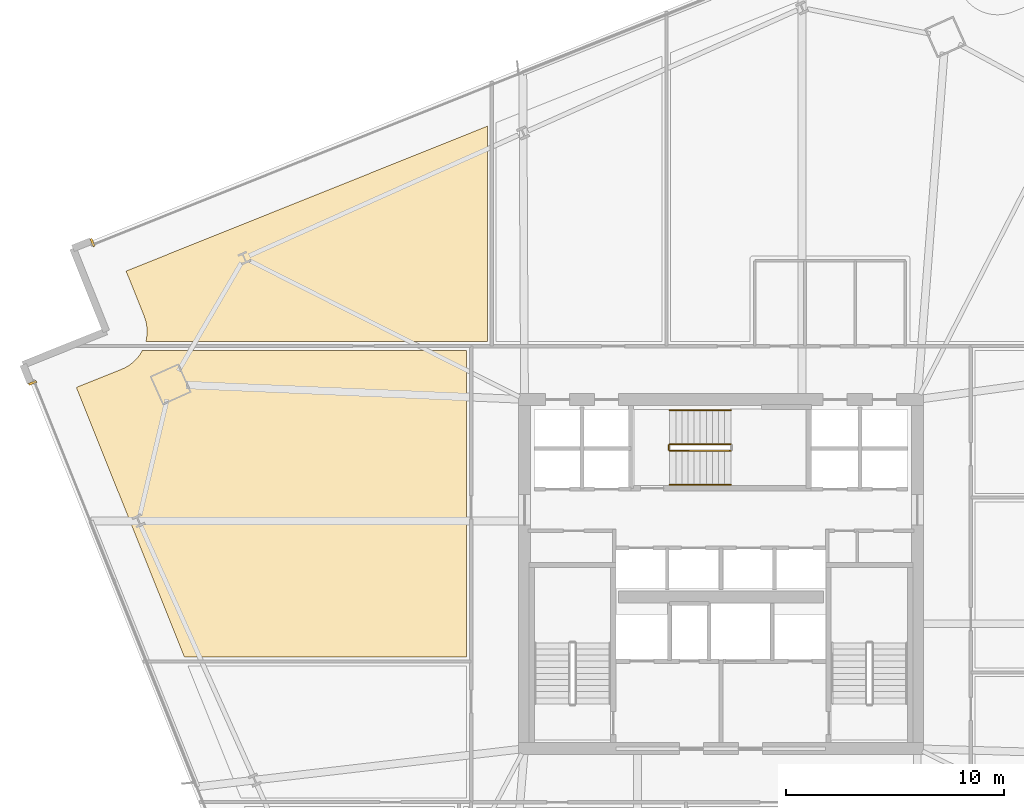
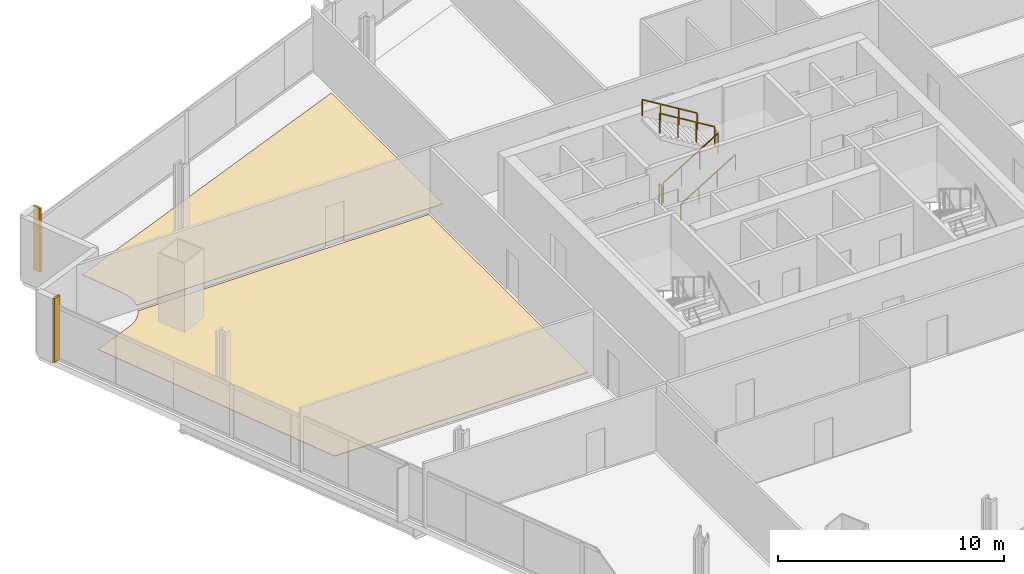
# One storey, part 31 of 33: 5 railings, 4 coverings.
"""IFC4 building model written with IfcOpenShell, lengths in metres."""

import ifcopenshell
import ifcopenshell.guid

model = None  # the IFC model being written
_history = None  # IfcOwnerHistory: only IFC2X3 demands one
_inside = {}  # id of a spatial element -> (the spatial element, [elements in it])
_under = {}  # id of a project, library or spatial element -> (it, [spatial elements below it])
_declared = {}  # id of a project -> (the project, [libraries it declares])
_typed = {}  # id of a type object -> (the type object, [elements of that type])
_made_of = {}  # id of a material, layer set ... -> (it, [elements and type objects made of it])


def new_model(schema):
    """Start an empty IFC model of exactly this schema.

    Asked for "IFC4X3", IfcOpenShell would pick the latest addendum, in which some entities
    have other attributes; the version numbers below select the first issue.
    IFC2X3 requires an IfcOwnerHistory on every rooted entity: one is made here for all.
    """
    global model, _history
    if schema == "IFC4X3":
        model = ifcopenshell.file(schema_version=(4, 3, 0, 0))
    else:
        model = ifcopenshell.file(schema=schema)
    _inside.clear()
    _under.clear()
    _declared.clear()
    _typed.clear()
    _made_of.clear()
    _history = None
    if model.schema == "IFC2X3":
        org = make("IfcOrganization", Name="unknown")
        user = make(
            "IfcPersonAndOrganization",
            ThePerson=make("IfcPerson", FamilyName="unknown"),
            TheOrganization=org,
        )
        app = make(
            "IfcApplication",
            ApplicationDeveloper=org,
            Version="unknown",
            ApplicationFullName="unknown",
            ApplicationIdentifier="unknown",
        )
        _history = make(
            "IfcOwnerHistory",
            OwningUser=user,
            OwningApplication=app,
            ChangeAction="ADDED",
            CreationDate=0,
        )
    return model


def make(cls, **values):
    """One entity of the class cls with the attributes given. An attribute that is None is left unset."""
    return model.create_entity(
        cls, **{name: value for name, value in values.items() if value is not None}
    )


def rooted(cls, **values):
    """An entity with a GlobalId (a new one), such as an element, a storey or a relation."""
    return make(cls, GlobalId=ifcopenshell.guid.new(), OwnerHistory=_history, **values)


def si_unit(unit_type, name, prefix=None):
    """IfcSIUnit, for example si_unit("LENGTHUNIT", "METRE", prefix="MILLI")."""
    return make("IfcSIUnit", UnitType=unit_type, Prefix=prefix, Name=name)


def assignment(units):
    """IfcUnitAssignment: the units of a project."""
    return None if units is None else make("IfcUnitAssignment", Units=units)


def point(xyz):
    """IfcCartesianPoint."""
    return None if xyz is None else make("IfcCartesianPoint", Coordinates=xyz)


def direction(xyz):
    """IfcDirection."""
    return None if xyz is None else make("IfcDirection", DirectionRatios=xyz)


def frame(location, z_axis=None, x_axis=None):
    """IfcAxis2Placement3D, a coordinate frame: its origin and axes. An axis left out is left unset."""
    return make(
        "IfcAxis2Placement3D",
        Location=point(location),
        Axis=direction(z_axis),
        RefDirection=direction(x_axis),
    )


def frame_2d(location, x_axis=None):
    """IfcAxis2Placement2D, a coordinate frame in the plane: its origin and x axis."""
    return make(
        "IfcAxis2Placement2D", Location=point(location), RefDirection=direction(x_axis)
    )


def origin():
    """The frame at (0, 0, 0) with its axes left unset."""
    return frame((0.0, 0.0, 0.0))


def origin_2d():
    """The frame at (0, 0) in the plane with its x axis left unset."""
    return frame_2d((0.0, 0.0))


def place(relative_to, where):
    """IfcLocalPlacement: puts the frame where relative to a parent placement (None: the world)."""
    return make(
        "IfcLocalPlacement", PlacementRelTo=relative_to, RelativePlacement=where
    )


def context(
    kind, dimensions, precision=None, world=None, true_north=None, identifier=None
):
    """IfcGeometricRepresentationContext, for example the 3D "Model" context."""
    return make(
        "IfcGeometricRepresentationContext",
        ContextIdentifier=identifier,
        ContextType=kind,
        CoordinateSpaceDimension=dimensions,
        Precision=precision,
        WorldCoordinateSystem=world,
        TrueNorth=true_north,
    )


def subcontext(parent, identifier, kind, view, scale=None):
    """IfcGeometricRepresentationSubContext, for example "Body" below "Model"."""
    return make(
        "IfcGeometricRepresentationSubContext",
        ContextIdentifier=identifier,
        ContextType=kind,
        ParentContext=parent,
        TargetScale=scale,
        TargetView=view,
    )


def project(units=None, contexts=None):
    """IfcProject with its units and contexts."""
    return rooted(
        "IfcProject",
        Name="project",
        RepresentationContexts=contexts,
        UnitsInContext=assignment(units),
    )


def spatial(cls, under=None, at=None, **own):
    """A site, building, storey or space (cls), placed at a placement, below another one or the project."""
    s = rooted(cls, ObjectPlacement=at, **own)
    if under is not None:
        _under.setdefault(under.id(), (under, []))[1].append(s)
    return s


def polyline(points):
    """IfcPolyline through the points."""
    return make("IfcPolyline", Points=[point(p) for p in points])


def profile(cls, at=None, kind="AREA", **sizes):
    """A parametric profile (cls). Its sizes go by their IFC names, for example OverallWidth=200.0."""
    return make(cls, ProfileType=kind, Position=at, **sizes)


def rectangle(**sizes):
    """IfcRectangleProfileDef."""
    return profile("IfcRectangleProfileDef", **sizes)


def outline(outer, holes=None, kind="AREA"):
    """IfcArbitraryClosedProfileDef: a profile drawn as a closed curve; with holes, ...WithVoids."""
    if holes is None:
        return make("IfcArbitraryClosedProfileDef", ProfileType=kind, OuterCurve=outer)
    return make(
        "IfcArbitraryProfileDefWithVoids",
        ProfileType=kind,
        OuterCurve=outer,
        InnerCurves=holes,
    )


def extrude(swept, where, along, depth):
    """IfcExtrudedAreaSolid: the profile swept, set in the frame where, extruded along a direction by depth."""
    return make(
        "IfcExtrudedAreaSolid",
        SweptArea=swept,
        Position=where,
        ExtrudedDirection=direction(along),
        Depth=depth,
    )


def shape(context_of_items, identifier, shape_type, items):
    """IfcShapeRepresentation: the items that make up one representation, for example the "Body"."""
    return make(
        "IfcShapeRepresentation",
        ContextOfItems=context_of_items,
        RepresentationIdentifier=identifier,
        RepresentationType=shape_type,
        Items=items,
    )


def source(mapping_origin, context_of_items, identifier, shape_type, items):
    """IfcRepresentationMap: a shape defined once, which mapped items show again and again."""
    return make(
        "IfcRepresentationMap",
        MappingOrigin=mapping_origin,
        MappedRepresentation=shape(context_of_items, identifier, shape_type, items),
    )


def transform(
    local_origin,
    x_axis=None,
    y_axis=None,
    z_axis=None,
    scale=None,
    scale2=None,
    scale3=None,
    uniform=True,
):
    """IfcCartesianTransformationOperator3D, or its non-uniform kind. x_axis, y_axis, z_axis: its Axis1, 2, 3."""
    if uniform:
        return make(
            "IfcCartesianTransformationOperator3D",
            Axis1=direction(x_axis),
            Axis2=direction(y_axis),
            LocalOrigin=point(local_origin),
            Scale=scale,
            Axis3=direction(z_axis),
        )
    return make(
        "IfcCartesianTransformationOperator3DnonUniform",
        Axis1=direction(x_axis),
        Axis2=direction(y_axis),
        LocalOrigin=point(local_origin),
        Scale=scale,
        Axis3=direction(z_axis),
        Scale2=scale2,
        Scale3=scale3,
    )


def mapped(mapping_source, mapping_target):
    """IfcMappedItem: shows the shape of a source again, moved by a transform."""
    return make(
        "IfcMappedItem", MappingSource=mapping_source, MappingTarget=mapping_target
    )


def material(Name=None, Category=None):
    """IfcMaterial."""
    return make("IfcMaterial", Name=Name, Category=Category)


def layer(
    of_material, thickness, ventilated=None, Name=None, Category=None, Priority=None
):
    """IfcMaterialLayer: one layer of a wall or slab, of a material (None: an air gap)."""
    return make(
        "IfcMaterialLayer",
        Material=of_material,
        LayerThickness=thickness,
        IsVentilated=ventilated,
        Name=Name,
        Category=Category,
        Priority=Priority,
    )


def layer_set(layers, Name=None):
    """IfcMaterialLayerSet."""
    return make("IfcMaterialLayerSet", MaterialLayers=layers, LayerSetName=Name)


def made_of(thing, what):
    """Note that an element or type object is made of a material, layer set ...; save() writes the relation."""
    if what is not None:
        _made_of.setdefault(what.id(), (what, []))[1].append(thing)
    return thing


def type_object(cls, material=None, **own):
    """A type object (cls), such as IfcWallType, which elements share."""
    return made_of(rooted(cls, **own), material)


def element(
    cls,
    number,
    at=None,
    inside=None,
    cuts=None,
    type_object=None,
    material=None,
    context=None,
    identifier="Body",
    shape_type=None,
    held_by="IfcProductDefinitionShape",
    body=None,
    shapes=None,
    **own,
):
    """One element of the class cls, such as IfcWall. Its Tag is "e" and its number.

    at: its placement. inside: the storey or other place that contains it. cuts: it is an
    opening in that element (IfcRelVoidsElement). A single representation is given by context,
    identifier, shape_type and body (its items); several are given by shapes. held_by: the class
    of the entity that holds the representations. save() writes the other relations.
    """
    e = rooted(cls, Tag="e%d" % number, ObjectPlacement=at, **own)
    if body is not None:
        shapes = [shape(context, identifier, shape_type, body)]
    if shapes is not None:
        e.Representation = make(held_by, Representations=shapes)
    if inside is not None:
        _inside.setdefault(inside.id(), (inside, []))[1].append(e)
    if cuts is not None:
        rooted(
            "IfcRelVoidsElement", RelatingBuildingElement=cuts, RelatedOpeningElement=e
        )
    if type_object is not None:
        _typed.setdefault(type_object.id(), (type_object, []))[1].append(e)
    return made_of(e, material)


def aggregate(whole, parts):
    """IfcRelAggregates: a whole, such as a stair, and the parts it consists of."""
    return rooted("IfcRelAggregates", RelatingObject=whole, RelatedObjects=parts)


def save(model, path):
    """Write the relations noted so far, then the file.

    IfcRelAggregates (storeys below a building ...), IfcRelContainedInSpatialStructure (elements
    in a storey), IfcRelDefinesByType, IfcRelAssociatesMaterial and IfcRelDeclares: one each for
    every whole, place, type object, material and project.
    """
    for whole, parts in _under.values():
        aggregate(whole, parts)
    for where, things in _inside.values():
        rooted(
            "IfcRelContainedInSpatialStructure",
            RelatedElements=things,
            RelatingStructure=where,
        )
    for kind, things in _typed.values():
        rooted("IfcRelDefinesByType", RelatedObjects=things, RelatingType=kind)
    for what, things in _made_of.values():
        rooted("IfcRelAssociatesMaterial", RelatedObjects=things, RelatingMaterial=what)
    for by, libraries in _declared.values():
        rooted("IfcRelDeclares", RelatingContext=by, RelatedDefinitions=libraries)
    model.write(path)


model = new_model("IFC4")

# Units and contexts
model_context = context("Model", 3, precision=1e-05, world=origin(), true_north=direction((0.0, 1.0)))
body_context = subcontext(model_context, "Body", "Model", "MODEL_VIEW")
ifc_project = project(units=[si_unit("LENGTHUNIT", "METRE"), si_unit("AREAUNIT", "SQUARE_METRE"), si_unit("VOLUMEUNIT", "CUBIC_METRE"), si_unit("PLANEANGLEUNIT", "RADIAN"), si_unit("MASSUNIT", "GRAM", prefix="KILO")], contexts=[model_context])

# Site, building, storey
site_placement = place(None, origin())
site = spatial("IfcSite", under=ifc_project, at=site_placement, CompositionType="ELEMENT")
building_placement = place(site_placement, origin())
building = spatial("IfcBuilding", under=site, at=building_placement, Name="Haldenkirk Collegiate Tower", CompositionType="ELEMENT")
storey_placement = place(building_placement, frame((0.0, 0.0, 101.699951171875)))
storey = spatial("IfcBuildingStorey", under=building, at=storey_placement, Name="L24", CompositionType="ELEMENT", Elevation=101.699951171875)

# Coverings
ifc_material_1 = material(Name="Polished collegiate terrazzo", Category="concrete")
ifc_layer_1 = layer(ifc_material_1, 0.02490234375)
ifc_layer_set_1 = layer_set([ifc_layer_1], Name="Polished collegiate terrazzo")
covering_type_1 = type_object("IfcCoveringType", Name="COV-FLOOR-TERRAZZO", PredefinedType="FLOORING", material=ifc_layer_set_1)
covering_1_placement = place(storey_placement, origin())
element("IfcCovering", 1, at=covering_1_placement, inside=storey, type_object=covering_type_1, Name="L24 academic room finish 04", PredefinedType="FLOORING", context=body_context, shape_type="SweptSolid", body=[
    extrude(outline(polyline([(9.6474609375, 36.64990234375), (9.66748046875, 36.726318359375), (9.669921875, 36.738037109375), (9.697021484375, 36.90771484375), (9.698486328125, 36.919189453125), (9.708740234375, 37.090576171875), (9.708984375, 37.102294921875), (9.702392578125, 37.27392578125), (9.701416015625, 37.285888671875), (9.677978515625, 37.4560546875), (9.67578125, 37.467529296875), (9.635986328125, 37.634521484375), (9.6328125, 37.64599609375), (9.576904296875, 37.80810546875), (9.57470703125, 37.813720703125), (8.744873046875, 39.883544921875), (25.300048828125, 46.52197265625), (25.300048828125, 36.64990234375), (9.6474609375, 36.64990234375)])), origin(), (0.0, 0.0, 1.0), 0.025146484375),
])
covering_2_placement = place(storey_placement, origin())
element("IfcCovering", 2, at=covering_2_placement, inside=storey, type_object=covering_type_1, Name="L24 academic room finish 08", PredefinedType="FLOORING", context=body_context, shape_type="SweptSolid", body=[
    extrude(outline(polyline([(8.53515625, 35.382080078125), (8.54052734375, 35.384521484375), (8.696533203125, 35.456298828125), (8.70703125, 35.461669921875), (8.855224609375, 35.548095703125), (8.865234375, 35.5546875), (9.00439453125, 35.6552734375), (9.013427734375, 35.66259765625), (9.14208984375, 35.776611328125), (9.150390625, 35.784912109375), (9.26708984375, 35.91064453125), (9.27490234375, 35.919921875), (9.378662109375, 36.056640625), (9.38525390625, 36.066162109375), (9.47509765625, 36.21240234375), (9.48095703125, 36.222900390625), (9.494140625, 36.25), (24.35009765625, 36.25), (24.35009765625, 22.199951171875), (11.41845703125, 22.199951171875), (6.46533203125, 34.55224609375), (8.53515625, 35.382080078125)])), origin(), (0.0, 0.0, 1.0), 0.025146484375),
])

# Railings
ifc_material_2 = material(Name="Painted architectural tubular steel", Category="steel")
railing_type_1 = type_object("IfcRailingType", Name="RLG-STAIR-GUARD-1100", PredefinedType="BALUSTRADE", material=ifc_material_2)
railing_1_placement = place(storey_placement, frame((33.64990234375, 31.64990234375, 0.17041015625)))
element("IfcRailing", 3, at=railing_1_placement, inside=storey, type_object=railing_type_1, Name="L24 ST-3 stair guard 1", PredefinedType="BALUSTRADE", context=body_context, shape_type="SweptSolid", body=[
    extrude(rectangle(XDim=0.048095703125, YDim=0.048095703125, at=origin_2d()), frame((0.0, 0.0, 1.076171875), z_axis=(0.854169791009, 0.0, 0.51999420009), x_axis=(0.0, 1.0, 0.0)), (0.0, 0.0, 1.0), 3.278076171875),
    extrude(rectangle(XDim=0.0419921875, YDim=0.0419921875, at=origin_2d()), origin(), (0.0, 0.0, 1.0), 1.052001953125),
    extrude(rectangle(XDim=0.0419921875, YDim=0.0419921875, at=origin_2d()), frame((0.933349609375, 0.0, 0.568115234375)), (0.0, 0.0, 1.0), 1.052001953125),
    extrude(rectangle(XDim=0.0419921875, YDim=0.0419921875, at=origin_2d()), frame((1.86669921875, 0.0, 1.136474609375)), (0.0, 0.0, 1.0), 1.052001953125),
    extrude(rectangle(XDim=0.0419921875, YDim=0.0419921875, at=origin_2d()), frame((2.800048828125, 0.0, 1.70458984375)), (0.0, 0.0, 1.0), 1.052001953125),
])
railing_2_placement = place(storey_placement, frame((36.449951171875, 31.949951171875, 2.04541015625)))
element("IfcRailing", 4, at=railing_2_placement, inside=storey, type_object=railing_type_1, Name="L24 ST-3 stair guard 3", PredefinedType="BALUSTRADE", context=body_context, shape_type="SweptSolid", body=[
    extrude(rectangle(XDim=0.048095703125, YDim=0.048095703125, at=origin_2d()), frame((0.0, 0.0, 1.076171875), z_axis=(-0.854169791009, 0.0, 0.51999420009), x_axis=(0.0, -1.0, 0.0)), (0.0, 0.0, 1.0), 3.278076171875),
    extrude(rectangle(XDim=0.0419921875, YDim=0.0419921875, at=origin_2d()), origin(), (0.0, 0.0, 1.0), 1.052001953125),
    extrude(rectangle(XDim=0.0419921875, YDim=0.0419921875, at=origin_2d()), frame((-0.933349609375, 0.0, 0.568115234375)), (0.0, 0.0, 1.0), 1.052001953125),
    extrude(rectangle(XDim=0.0419921875, YDim=0.0419921875, at=origin_2d()), frame((-1.86669921875, 0.0, 1.136474609375)), (0.0, 0.0, 1.0), 1.052001953125),
    extrude(rectangle(XDim=0.0419921875, YDim=0.0419921875, at=origin_2d()), frame((-2.800048828125, 0.0, 1.70458984375)), (0.0, 0.0, 1.0), 1.052001953125),
])
railing_3_placement = place(storey_placement, frame((33.60009765625, 31.699951171875, 0.0)))
element("IfcRailing", 5, at=railing_3_placement, inside=storey, type_object=railing_type_1, Name="L24 ST-3 stair guard 4", PredefinedType="BALUSTRADE", context=body_context, shape_type="SweptSolid", body=[
    extrude(rectangle(XDim=0.048095703125, YDim=0.048095703125, at=origin_2d()), frame((0.0, 0.0, 1.076171875), z_axis=(0.0, 1.0, 0.0), x_axis=(-1.0, 0.0, 0.0)), (0.0, 0.0, 1.0), 0.199951171875),
    extrude(rectangle(XDim=0.0419921875, YDim=0.0419921875, at=origin_2d()), origin(), (0.0, 0.0, 1.0), 1.052001953125),
    extrude(rectangle(XDim=0.0419921875, YDim=0.0419921875, at=origin_2d()), frame((0.0, 0.199951171875, 0.0)), (0.0, 0.0, 1.0), 1.052001953125),
])
railing_type_2 = type_object("IfcRailingType", Name="RLG-STAIR-HANDRAIL-900", PredefinedType="HANDRAIL", material=ifc_material_2)
railing_4_placement = place(storey_placement, frame((33.64990234375, 30.10009765625, 0.17041015625)))
element("IfcRailing", 6, at=railing_4_placement, inside=storey, type_object=railing_type_2, Name="L24 ST-3 stair handrail 1", PredefinedType="HANDRAIL", context=body_context, shape_type="SweptSolid", body=[
    extrude(rectangle(XDim=0.048095703125, YDim=0.048095703125, at=origin_2d()), frame((0.0, 0.0, 0.8759765625), z_axis=(0.854169791009, 0.0, 0.51999420009), x_axis=(0.0, 1.0, 0.0)), (0.0, 0.0, 1.0), 3.278076171875),
    extrude(rectangle(XDim=0.0419921875, YDim=0.0419921875, at=origin_2d()), origin(), (0.0, 0.0, 1.0), 0.851806640625),
    extrude(rectangle(XDim=0.0419921875, YDim=0.0419921875, at=origin_2d()), frame((0.933349609375, 0.0, 0.568115234375)), (0.0, 0.0, 1.0), 0.851806640625),
    extrude(rectangle(XDim=0.0419921875, YDim=0.0419921875, at=origin_2d()), frame((1.86669921875, 0.0, 1.136474609375)), (0.0, 0.0, 1.0), 0.851806640625),
    extrude(rectangle(XDim=0.0419921875, YDim=0.0419921875, at=origin_2d()), frame((2.800048828125, 0.0, 1.70458984375)), (0.0, 0.0, 1.0), 0.851806640625),
])
railing_5_placement = place(storey_placement, frame((36.449951171875, 33.5, 2.04541015625)))
element("IfcRailing", 7, at=railing_5_placement, inside=storey, type_object=railing_type_2, Name="L24 ST-3 stair handrail 2", PredefinedType="HANDRAIL", context=body_context, shape_type="SweptSolid", body=[
    extrude(rectangle(XDim=0.048095703125, YDim=0.048095703125, at=origin_2d()), frame((0.0, 0.0, 0.8759765625), z_axis=(-0.854169791009, 0.0, 0.51999420009), x_axis=(0.0, -1.0, 0.0)), (0.0, 0.0, 1.0), 3.278076171875),
    extrude(rectangle(XDim=0.0419921875, YDim=0.0419921875, at=origin_2d()), origin(), (0.0, 0.0, 1.0), 0.851806640625),
    extrude(rectangle(XDim=0.0419921875, YDim=0.0419921875, at=origin_2d()), frame((-0.933349609375, 0.0, 0.568115234375)), (0.0, 0.0, 1.0), 0.851806640625),
    extrude(rectangle(XDim=0.0419921875, YDim=0.0419921875, at=origin_2d()), frame((-1.86669921875, 0.0, 1.136474609375)), (0.0, 0.0, 1.0), 0.851806640625),
    extrude(rectangle(XDim=0.0419921875, YDim=0.0419921875, at=origin_2d()), frame((-2.800048828125, 0.0, 1.70458984375)), (0.0, 0.0, 1.0), 0.851806640625),
])

# Coverings
ifc_material_3 = material(Name="Anodised architectural bronze aluminium", Category="aluminium")
ifc_layer_2 = layer(ifc_material_3, 0.06005859375)
ifc_layer_set_2 = layer_set([ifc_layer_2], Name="Anodised architectural bronze aluminium")
covering_type_2 = type_object("IfcCoveringType", Name="COV-CLAD-BRONZE-60", PredefinedType="CLADDING", material=ifc_layer_set_2)
shared_shape = source(origin(), body_context, "Body", "SweptSolid", [
    extrude(rectangle(XDim=0.10009765625, YDim=0.3798828125, at=origin_2d()), origin(), (0.0, 0.0, 1.0), 3.449951171875),
])
for number, where, z_axis, x_axis, name in (
    (8, (7.209716796875, 41.185791015625, 0.0), (0.0, 0.0, 1.0), (0.928161393808, 0.372177950778, 0.0), "L24 recessed curtain-wall bronze jamb closure NJL"),
    (9, (4.46337890625, 34.76220703125, 0.0), (0.0, 0.0, 1.0), (-0.372177950778, 0.928161393808, 0.0), "L24 recessed curtain-wall bronze jamb closure WJR"),
):
    element("IfcCovering", number, at=place(storey_placement, frame(where, z_axis=z_axis, x_axis=x_axis)), inside=storey, type_object=covering_type_2, Name=name, PredefinedType="CLADDING", context=body_context, shape_type="MappedRepresentation", body=[
        mapped(shared_shape, transform((0.0, 0.0, 0.0), x_axis=(1.0, 0.0, 0.0), y_axis=(0.0, 1.0, 0.0), z_axis=(0.0, 0.0, 1.0), scale=1.0)),
    ])

save(model, "model.ifc")
